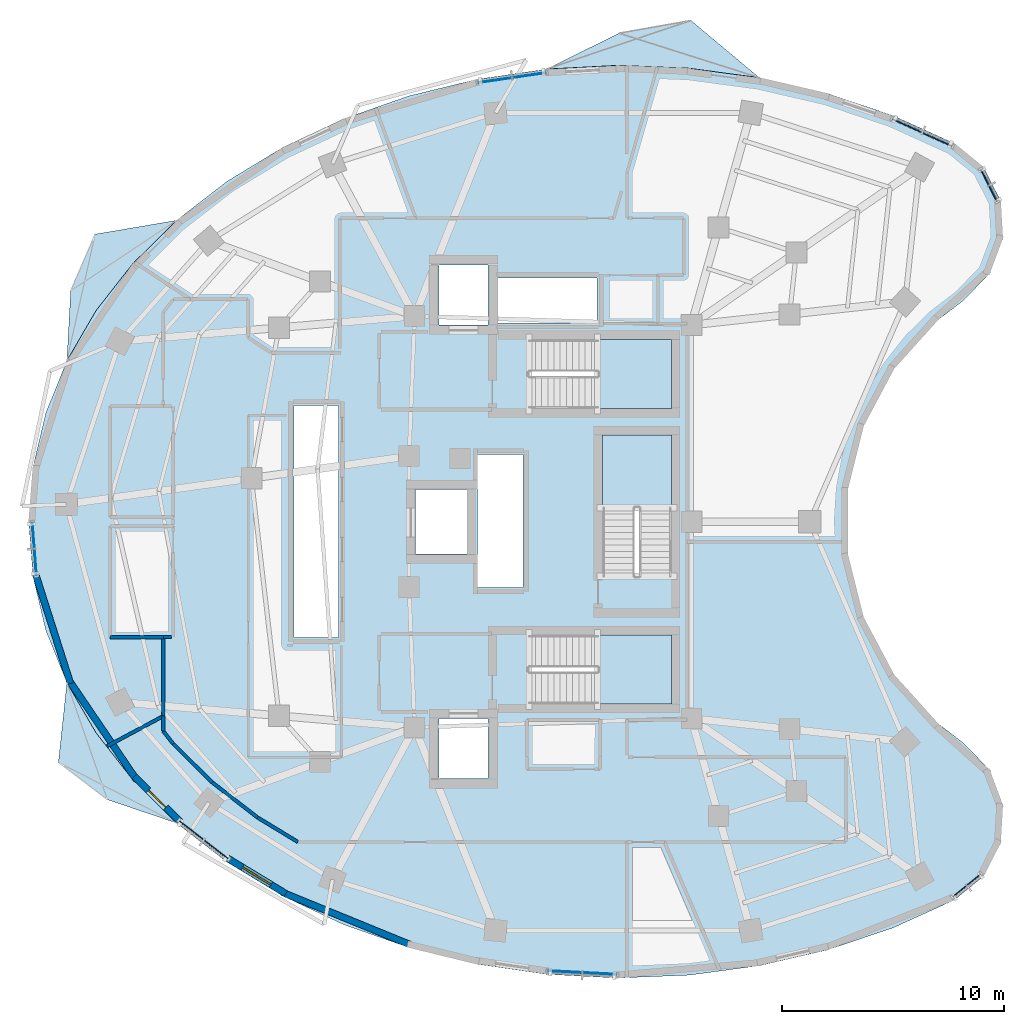
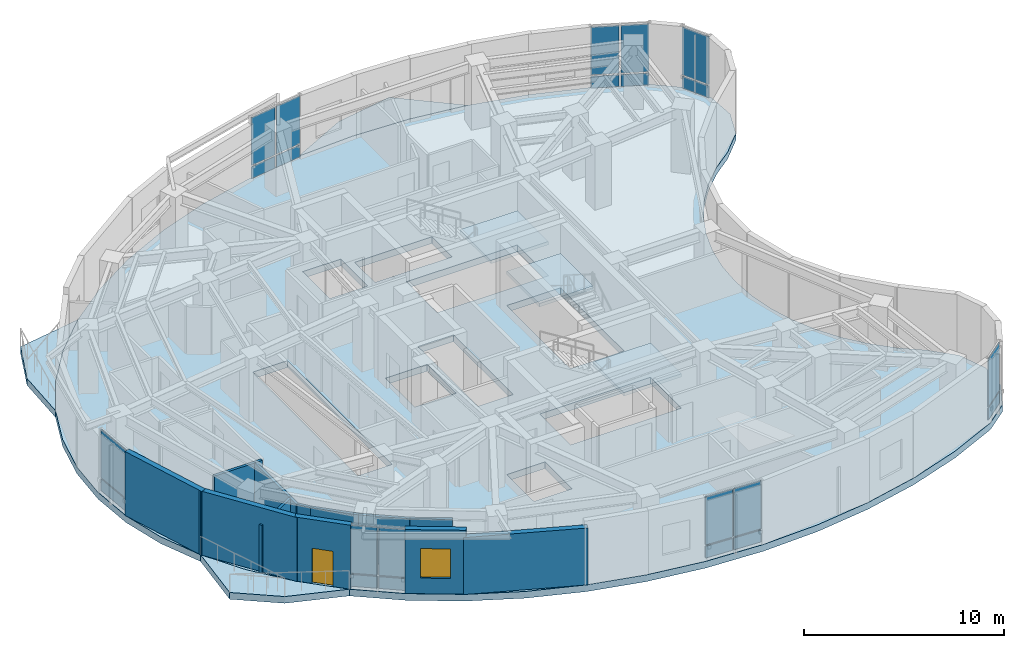
# One storey, part 6 of 13: 22 plates, 14 walls, 7 slabs, 1 door, 1 window, 2 openings, 10 elements without a shape of their own.
"""IFC4 building model written with IfcOpenShell, lengths in metres."""

from ifc_helpers import new_model, si_unit, direction, frame, frame_2d, origin, origin_2d, place, context, subcontext, project, spatial, polyline, rectangle, outline, extrude, material, layer, layer_set, type_object, element, fill, aggregate, save


model = new_model("IFC4")

# Units and contexts
model_context = context("Model", 3, precision=1e-05, world=origin(), true_north=direction((0.0, 1.0)))
body_context = subcontext(model_context, "Body", "Model", "MODEL_VIEW")
ifc_project = project(units=[si_unit("LENGTHUNIT", "METRE"), si_unit("AREAUNIT", "SQUARE_METRE"), si_unit("VOLUMEUNIT", "CUBIC_METRE"), si_unit("PLANEANGLEUNIT", "RADIAN"), si_unit("MASSUNIT", "GRAM", prefix="KILO")], contexts=[model_context])

# Site, building, storey
site_placement = place(None, origin())
site = spatial("IfcSite", under=ifc_project, at=site_placement, CompositionType="ELEMENT")
building_placement = place(site_placement, origin())
building = spatial("IfcBuilding", under=site, at=building_placement, Name="Korentha Bioscience Tower", CompositionType="ELEMENT")
storey_placement = place(building_placement, frame((0.0, 0.0, 166.800048828125)))
storey = spatial("IfcBuildingStorey", under=building, at=storey_placement, Name="L38", CompositionType="ELEMENT", Elevation=166.800048828125)

# Curtain wall, plates
ifc_material_1 = material(Name="Thermally Broken Aluminium Frame", Category="aluminium")
ifc_layer_1 = layer(ifc_material_1, 0.219970703125, Name="Thermally Broken Aluminium Frame")
ifc_layer_set_1 = layer_set([ifc_layer_1], Name="Thermally Broken Aluminium Frame (CW-T2)")
curtain_wall_type = type_object("IfcCurtainWallType", Name="Solar-Screened Lab Unitised Curtain Wall CW-T2", PredefinedType="USERDEFINED", material=ifc_layer_set_1)
curtain_wall_1_placement = place(storey_placement, origin())
curtain_wall_1 = element("IfcCurtainWall", 1, at=curtain_wall_1_placement, inside=storey, type_object=curtain_wall_type, Name="L38 Curtain Wall 01", ObjectType="UNITISED", PredefinedType="USERDEFINED")
ifc_material_2 = material(Name="Triple-Glazed Low-E Insulated Glass", Category="glass")
ifc_layer_2 = layer(ifc_material_2, 0.0439453125, Name="Triple-Glazed Low-E Insulated Glass")
ifc_layer_set_2 = layer_set([ifc_layer_2], Name="Triple-Glazed Low-E Insulated Glass (GL-44)")
plate_type = type_object("IfcPlateType", Name="Glazed Panel 44mm", PredefinedType="CURTAIN_PANEL", material=ifc_layer_set_2)
plate_1_placement = place(storey_placement, frame((48.625732421875, 44.190673828125, 0.08984375), z_axis=(0.0, 0.0, 1.0), x_axis=(-0.910644398392, 0.413190972406, 0.0)))
plate_1 = element("IfcPlate", 2, at=plate_1_placement, type_object=plate_type, Name="CW-L38-01 Bay 1 Glazed Panel 1", PredefinedType="CURTAIN_PANEL", context=body_context, shape_type="SweptSolid", body=[
    extrude(rectangle(XDim=1.422607421875, YDim=0.0439453125, at=origin_2d()), origin(), (0.0, 0.0, 1.0), 0.715087890625),
])
plate_2_placement = place(storey_placement, frame((48.625732421875, 44.190673828125, 0.89501953125), z_axis=(0.0, 0.0, 1.0), x_axis=(-0.910644398392, 0.413190972406, 0.0)))
plate_2 = element("IfcPlate", 3, at=plate_2_placement, type_object=plate_type, Name="CW-L38-01 Bay 1 Glazed Panel 2", PredefinedType="CURTAIN_PANEL", context=body_context, shape_type="SweptSolid", body=[
    extrude(rectangle(XDim=1.422607421875, YDim=0.0439453125, at=origin_2d()), origin(), (0.0, 0.0, 1.0), 2.9150390625),
])
plate_3_placement = place(storey_placement, frame((47.248291015625, 44.815673828125, 0.08984375), z_axis=(0.0, 0.0, 1.0), x_axis=(-0.910644398392, 0.413190972406, 0.0)))
plate_3 = element("IfcPlate", 4, at=plate_3_placement, type_object=plate_type, Name="CW-L38-01 Bay 2 Glazed Panel 1", PredefinedType="CURTAIN_PANEL", context=body_context, shape_type="SweptSolid", body=[
    extrude(rectangle(XDim=1.422607421875, YDim=0.0439453125, at=origin_2d()), origin(), (0.0, 0.0, 1.0), 0.715087890625),
])
plate_4_placement = place(storey_placement, frame((47.248291015625, 44.815673828125, 0.89501953125), z_axis=(0.0, 0.0, 1.0), x_axis=(-0.910644398392, 0.413190972406, 0.0)))
plate_4 = element("IfcPlate", 5, at=plate_4_placement, type_object=plate_type, Name="CW-L38-01 Bay 2 Glazed Panel 2", PredefinedType="CURTAIN_PANEL", context=body_context, shape_type="SweptSolid", body=[
    extrude(rectangle(XDim=1.422607421875, YDim=0.0439453125, at=origin_2d()), origin(), (0.0, 0.0, 1.0), 2.9150390625),
])
aggregate(curtain_wall_1, [plate_1, plate_2, plate_3, plate_4])

curtain_wall_2_placement = place(storey_placement, origin())
curtain_wall_2 = element("IfcCurtainWall", 6, at=curtain_wall_2_placement, inside=storey, type_object=curtain_wall_type, Name="L38 Curtain Wall 07", ObjectType="UNITISED", PredefinedType="USERDEFINED")
plate_5_placement = place(storey_placement, frame((30.27099609375, 47.090087890625, 0.08984375), z_axis=(0.0, 0.0, 1.0), x_axis=(-0.989461919888, -0.144793332342, 0.0)))
plate_5 = element("IfcPlate", 7, at=plate_5_placement, type_object=plate_type, Name="CW-L38-07 Bay 1 Glazed Panel 1", PredefinedType="CURTAIN_PANEL", context=body_context, shape_type="SweptSolid", body=[
    extrude(rectangle(XDim=1.498291015625, YDim=0.0439453125, at=origin_2d()), origin(), (0.0, 0.0, 1.0), 0.715087890625),
])
plate_6_placement = place(storey_placement, frame((30.27099609375, 47.090087890625, 0.89501953125), z_axis=(0.0, 0.0, 1.0), x_axis=(-0.989461919888, -0.144793332342, 0.0)))
plate_6 = element("IfcPlate", 8, at=plate_6_placement, type_object=plate_type, Name="CW-L38-07 Bay 1 Glazed Panel 2", PredefinedType="CURTAIN_PANEL", context=body_context, shape_type="SweptSolid", body=[
    extrude(rectangle(XDim=1.498291015625, YDim=0.0439453125, at=origin_2d()), origin(), (0.0, 0.0, 1.0), 2.9150390625),
])
plate_7_placement = place(storey_placement, frame((28.69921875, 46.860107421875, 0.08984375), z_axis=(0.0, 0.0, 1.0), x_axis=(-0.989461919888, -0.144793332342, 0.0)))
plate_7 = element("IfcPlate", 9, at=plate_7_placement, type_object=plate_type, Name="CW-L38-07 Bay 2 Glazed Panel 1", PredefinedType="CURTAIN_PANEL", context=body_context, shape_type="SweptSolid", body=[
    extrude(rectangle(XDim=1.498291015625, YDim=0.0439453125, at=origin_2d()), origin(), (0.0, 0.0, 1.0), 0.715087890625),
])
plate_8_placement = place(storey_placement, frame((28.69921875, 46.860107421875, 0.89501953125), z_axis=(0.0, 0.0, 1.0), x_axis=(-0.989461919888, -0.144793332342, 0.0)))
plate_8 = element("IfcPlate", 10, at=plate_8_placement, type_object=plate_type, Name="CW-L38-07 Bay 2 Glazed Panel 2", PredefinedType="CURTAIN_PANEL", context=body_context, shape_type="SweptSolid", body=[
    extrude(rectangle(XDim=1.498291015625, YDim=0.0439453125, at=origin_2d()), origin(), (0.0, 0.0, 1.0), 2.9150390625),
])
aggregate(curtain_wall_2, [plate_5, plate_6, plate_7, plate_8])

curtain_wall_3_placement = place(storey_placement, origin())
curtain_wall_3 = element("IfcCurtainWall", 11, at=curtain_wall_3_placement, inside=storey, type_object=curtain_wall_type, Name="L38 Curtain Wall 19", ObjectType="UNITISED", PredefinedType="USERDEFINED")
plate_9_placement = place(storey_placement, frame((7.991943359375, 25.781005859375, 0.08984375), z_axis=(0.0, 0.0, 1.0), x_axis=(0.078030772566, -0.996950950916, 0.0)))
plate_9 = element("IfcPlate", 12, at=plate_9_placement, type_object=plate_type, Name="CW-L38-19 Bay 1 Glazed Panel 1", PredefinedType="CURTAIN_PANEL", context=body_context, shape_type="SweptSolid", body=[
    extrude(rectangle(XDim=2.370361328125, YDim=0.0439453125, at=origin_2d()), origin(), (0.0, 0.0, 1.0), 0.715087890625),
])
plate_10_placement = place(storey_placement, frame((7.991943359375, 25.781005859375, 0.89501953125), z_axis=(0.0, 0.0, 1.0), x_axis=(0.078030772566, -0.996950950916, 0.0)))
plate_10 = element("IfcPlate", 13, at=plate_10_placement, type_object=plate_type, Name="CW-L38-19 Bay 1 Glazed Panel 2", PredefinedType="CURTAIN_PANEL", context=body_context, shape_type="SweptSolid", body=[
    extrude(rectangle(XDim=2.370361328125, YDim=0.0439453125, at=origin_2d()), origin(), (0.0, 0.0, 1.0), 2.9150390625),
])
aggregate(curtain_wall_3, [plate_9, plate_10])

curtain_wall_4_placement = place(storey_placement, origin())
curtain_wall_4 = element("IfcCurtainWall", 14, at=curtain_wall_4_placement, inside=storey, type_object=curtain_wall_type, Name="L38 Curtain Wall 25", ObjectType="UNITISED", PredefinedType="USERDEFINED")
plate_11_placement = place(storey_placement, frame((15.0556640625, 13.126953125, 0.08984375), z_axis=(0.0, 0.0, 1.0), x_axis=(0.790546796919, -0.612401634454, 0.0)))
plate_11 = element("IfcPlate", 15, at=plate_11_placement, type_object=plate_type, Name="CW-L38-25 Bay 1 Glazed Panel 1", PredefinedType="CURTAIN_PANEL", context=body_context, shape_type="SweptSolid", body=[
    extrude(rectangle(XDim=1.3349609375, YDim=0.0439453125, at=origin_2d()), origin(), (0.0, 0.0, 1.0), 0.715087890625),
])
plate_12_placement = place(storey_placement, frame((15.0556640625, 13.126953125, 0.89501953125), z_axis=(0.0, 0.0, 1.0), x_axis=(0.790546796919, -0.612401634454, 0.0)))
plate_12 = element("IfcPlate", 16, at=plate_12_placement, type_object=plate_type, Name="CW-L38-25 Bay 1 Glazed Panel 2", PredefinedType="CURTAIN_PANEL", context=body_context, shape_type="SweptSolid", body=[
    extrude(rectangle(XDim=1.3349609375, YDim=0.0439453125, at=origin_2d()), origin(), (0.0, 0.0, 1.0), 2.9150390625),
])
plate_13_placement = place(storey_placement, frame((16.18212890625, 12.25439453125, 0.08984375), z_axis=(0.0, 0.0, 1.0), x_axis=(0.790546796919, -0.612401634454, 0.0)))
plate_13 = element("IfcPlate", 17, at=plate_13_placement, type_object=plate_type, Name="CW-L38-25 Bay 2 Glazed Panel 1", PredefinedType="CURTAIN_PANEL", context=body_context, shape_type="SweptSolid", body=[
    extrude(rectangle(XDim=1.3349609375, YDim=0.0439453125, at=origin_2d()), origin(), (0.0, 0.0, 1.0), 0.715087890625),
])
plate_14_placement = place(storey_placement, frame((16.18212890625, 12.25439453125, 0.89501953125), z_axis=(0.0, 0.0, 1.0), x_axis=(0.790546796919, -0.612401634454, 0.0)))
plate_14 = element("IfcPlate", 18, at=plate_14_placement, type_object=plate_type, Name="CW-L38-25 Bay 2 Glazed Panel 2", PredefinedType="CURTAIN_PANEL", context=body_context, shape_type="SweptSolid", body=[
    extrude(rectangle(XDim=1.3349609375, YDim=0.0439453125, at=origin_2d()), origin(), (0.0, 0.0, 1.0), 2.9150390625),
])
aggregate(curtain_wall_4, [plate_11, plate_12, plate_13, plate_14])

curtain_wall_5_placement = place(storey_placement, origin())
curtain_wall_5 = element("IfcCurtainWall", 19, at=curtain_wall_5_placement, inside=storey, type_object=curtain_wall_type, Name="L38 Curtain Wall 31", ObjectType="UNITISED", PredefinedType="USERDEFINED")
plate_15_placement = place(storey_placement, frame((31.849853515625, 6.75390625, 0.08984375), z_axis=(0.0, 0.0, 1.0), x_axis=(0.998637677307, -0.052180355139, 0.0)))
plate_15 = element("IfcPlate", 20, at=plate_15_placement, type_object=plate_type, Name="CW-L38-31 Bay 1 Glazed Panel 1", PredefinedType="CURTAIN_PANEL", context=body_context, shape_type="SweptSolid", body=[
    extrude(rectangle(XDim=1.50830078125, YDim=0.0439453125, at=origin_2d()), origin(), (0.0, 0.0, 1.0), 0.715087890625),
])
plate_16_placement = place(storey_placement, frame((31.849853515625, 6.75390625, 0.89501953125), z_axis=(0.0, 0.0, 1.0), x_axis=(0.998637677307, -0.052180355139, 0.0)))
plate_16 = element("IfcPlate", 21, at=plate_16_placement, type_object=plate_type, Name="CW-L38-31 Bay 1 Glazed Panel 2", PredefinedType="CURTAIN_PANEL", context=body_context, shape_type="SweptSolid", body=[
    extrude(rectangle(XDim=1.50830078125, YDim=0.0439453125, at=origin_2d()), origin(), (0.0, 0.0, 1.0), 2.9150390625),
])
plate_17_placement = place(storey_placement, frame((33.446044921875, 6.67041015625, 0.08984375), z_axis=(0.0, 0.0, 1.0), x_axis=(0.998637677307, -0.052180355139, 0.0)))
plate_17 = element("IfcPlate", 22, at=plate_17_placement, type_object=plate_type, Name="CW-L38-31 Bay 2 Glazed Panel 1", PredefinedType="CURTAIN_PANEL", context=body_context, shape_type="SweptSolid", body=[
    extrude(rectangle(XDim=1.50830078125, YDim=0.0439453125, at=origin_2d()), origin(), (0.0, 0.0, 1.0), 0.715087890625),
])
plate_18_placement = place(storey_placement, frame((33.446044921875, 6.67041015625, 0.89501953125), z_axis=(0.0, 0.0, 1.0), x_axis=(0.998637677307, -0.052180355139, 0.0)))
plate_18 = element("IfcPlate", 23, at=plate_18_placement, type_object=plate_type, Name="CW-L38-31 Bay 2 Glazed Panel 2", PredefinedType="CURTAIN_PANEL", context=body_context, shape_type="SweptSolid", body=[
    extrude(rectangle(XDim=1.50830078125, YDim=0.0439453125, at=origin_2d()), origin(), (0.0, 0.0, 1.0), 2.9150390625),
])
aggregate(curtain_wall_5, [plate_15, plate_16, plate_17, plate_18])

curtain_wall_6_placement = place(storey_placement, origin())
curtain_wall_6 = element("IfcCurtainWall", 24, at=curtain_wall_6_placement, inside=storey, type_object=curtain_wall_type, Name="L38 Curtain Wall 37", ObjectType="UNITISED", PredefinedType="USERDEFINED")
plate_19_placement = place(storey_placement, frame((49.938720703125, 10.637451171875, 0.08984375), z_axis=(0.0, 0.0, 1.0), x_axis=(0.77425646139, 0.632871971251, 0.0)))
plate_19 = element("IfcPlate", 25, at=plate_19_placement, type_object=plate_type, Name="CW-L38-37 Bay 1 Glazed Panel 1", PredefinedType="CURTAIN_PANEL", context=body_context, shape_type="SweptSolid", body=[
    extrude(rectangle(XDim=1.591796875, YDim=0.0439453125, at=origin_2d()), origin(), (0.0, 0.0, 1.0), 0.715087890625),
])
plate_20_placement = place(storey_placement, frame((49.938720703125, 10.637451171875, 0.89501953125), z_axis=(0.0, 0.0, 1.0), x_axis=(0.77425646139, 0.632871971251, 0.0)))
plate_20 = element("IfcPlate", 26, at=plate_20_placement, type_object=plate_type, Name="CW-L38-37 Bay 1 Glazed Panel 2", PredefinedType="CURTAIN_PANEL", context=body_context, shape_type="SweptSolid", body=[
    extrude(rectangle(XDim=1.591796875, YDim=0.0439453125, at=origin_2d()), origin(), (0.0, 0.0, 1.0), 2.9150390625),
])
aggregate(curtain_wall_6, [plate_19, plate_20])

curtain_wall_7_placement = place(storey_placement, origin())
curtain_wall_7 = element("IfcCurtainWall", 27, at=curtain_wall_7_placement, inside=storey, type_object=curtain_wall_type, Name="L38 Curtain Wall 61", ObjectType="UNITISED", PredefinedType="USERDEFINED")
plate_21_placement = place(storey_placement, frame((50.936767578125, 42.124755859375, 0.08984375), z_axis=(0.0, 0.0, 1.0), x_axis=(-0.45428845847, 0.890854643868, 0.0)))
plate_21 = element("IfcPlate", 28, at=plate_21_placement, type_object=plate_type, Name="CW-L38-61 Bay 1 Glazed Panel 1", PredefinedType="CURTAIN_PANEL", context=body_context, shape_type="SweptSolid", body=[
    extrude(rectangle(XDim=1.591796875, YDim=0.0439453125, at=origin_2d()), origin(), (0.0, 0.0, 1.0), 0.715087890625),
])
plate_22_placement = place(storey_placement, frame((50.936767578125, 42.124755859375, 0.89501953125), z_axis=(0.0, 0.0, 1.0), x_axis=(-0.45428845847, 0.890854643868, 0.0)))
plate_22 = element("IfcPlate", 29, at=plate_22_placement, type_object=plate_type, Name="CW-L38-61 Bay 1 Glazed Panel 2", PredefinedType="CURTAIN_PANEL", context=body_context, shape_type="SweptSolid", body=[
    extrude(rectangle(XDim=1.591796875, YDim=0.0439453125, at=origin_2d()), origin(), (0.0, 0.0, 1.0), 2.9150390625),
])
aggregate(curtain_wall_7, [plate_21, plate_22])

# Slabs
ifc_material_3 = material(Name="Concrete C50", Category="concrete")
ifc_layer_3 = layer(ifc_material_3, 0.409912109375, Name="Concrete C50")
ifc_layer_set_3 = layer_set([ifc_layer_3], Name="Concrete C50 (BS-410)")
slab_type_1 = type_object("IfcSlabType", Name="Heavy Sawtooth Sun-Ledge Balcony Slab 410", PredefinedType="USERDEFINED", material=ifc_layer_set_3)
slab_1_placement = place(storey_placement, frame((0.0, 0.0, -0.41015625)))
element("IfcSlab", 30, at=slab_1_placement, inside=storey, type_object=slab_type_1, Name="L38 Sun-Ledge Balcony 01", ObjectType="BALCONY", PredefinedType="USERDEFINED", context=body_context, shape_type="SweptSolid", body=[
    extrude(outline(polyline([(31.038330078125, 47.364013671875), (34.24072265625, 47.531494140625), (37.446044921875, 47.40234375), (40.608154296875, 46.978515625), (37.53271484375, 49.550537109375), (34.29931640625, 48.980224609375), (31.038330078125, 47.364013671875)])), origin(), (0.0, 0.0, 1.0), 0.41015625),
])
slab_2_placement = place(storey_placement, frame((0.0, 0.0, -0.41015625)))
element("IfcSlab", 31, at=slab_2_placement, inside=storey, type_object=slab_type_1, Name="L38 Sun-Ledge Balcony 02", ObjectType="BALCONY", PredefinedType="USERDEFINED", context=body_context, shape_type="SweptSolid", body=[
    extrude(outline(polyline([(9.454833984375, 34.246337890625), (10.76611328125, 36.498291015625), (12.419189453125, 38.613037109375), (14.390380859375, 40.56005859375), (10.725341796875, 39.93701171875), (9.623779296875, 37.391357421875), (9.454833984375, 34.246337890625)])), origin(), (0.0, 0.0, 1.0), 0.41015625),
])
slab_3_placement = place(storey_placement, frame((0.0, 0.0, -0.41015625)))
element("IfcSlab", 32, at=slab_3_placement, inside=storey, type_object=slab_type_1, Name="L38 Sun-Ledge Balcony 03", ObjectType="BALCONY", PredefinedType="USERDEFINED", context=body_context, shape_type="SweptSolid", body=[
    extrude(outline(polyline([(14.390380859375, 13.43994140625), (12.419189453125, 15.386962890625), (10.76611328125, 17.501708984375), (9.454833984375, 19.753662109375), (9.072265625, 16.177490234375), (11.27685546875, 14.493896484375), (14.390380859375, 13.43994140625)])), origin(), (0.0, 0.0, 1.0), 0.41015625),
])
ifc_material_4 = material(Name="Concrete C65", Category="concrete")
ifc_layer_4 = layer(ifc_material_4, 0.409912109375, Name="Concrete C65")
ifc_layer_set_4 = layer_set([ifc_layer_4], Name="Concrete C65 (SL-L410)")
slab_type_2 = type_object("IfcSlabType", Name="Heavy Vibration-Controlled Lab Slab 410", PredefinedType="FLOOR", material=ifc_layer_set_4)
slab_4_placement = place(storey_placement, frame((0.0, 0.0, -0.41015625)))
element("IfcSlab", 33, at=slab_4_placement, inside=storey, type_object=slab_type_2, Name="L38 Tower Structural Floor Slab", PredefinedType="FLOOR", context=body_context, shape_type="SweptSolid", body=[
    extrude(outline(polyline([(49.38525390625, 44.021728515625), (46.62109375, 45.27587890625), (43.681396484375, 46.266357421875), (40.608154296875, 46.978515625), (37.446044921875, 47.40234375), (34.24072265625, 47.531494140625), (31.038330078125, 47.364013671875), (27.88525390625, 46.902587890625), (24.826904296875, 46.154052734375), (21.907470703125, 45.128662109375), (19.169189453125, 43.841552734375), (16.6513671875, 42.311279296875), (14.390380859375, 40.56005859375), (12.419189453125, 38.613037109375), (10.76611328125, 36.498291015625), (9.454833984375, 34.246337890625), (8.504638671875, 31.889892578125), (7.9287109375, 29.462646484375), (7.736083984375, 27.0), (7.9287109375, 24.537353515625), (8.504638671875, 22.110107421875), (9.454833984375, 19.753662109375), (10.76611328125, 17.501708984375), (12.419189453125, 15.386962890625), (14.390380859375, 13.43994140625), (16.6513671875, 11.688720703125), (19.169189453125, 10.158447265625), (21.907470703125, 8.871337890625), (24.826904296875, 7.845947265625), (27.88525390625, 7.097412109375), (31.038330078125, 6.635986328125), (34.24072265625, 6.468505859375), (37.446044921875, 6.59765625), (40.608154296875, 7.021484375), (43.681396484375, 7.733642578125), (46.62109375, 8.72412109375), (49.38525390625, 9.978271484375), (50.695068359375, 11.048828125), (51.46337890625, 12.55615234375), (51.560791015625, 14.2451171875), (50.970458984375, 15.83056640625), (49.792236328125, 17.044677734375), (48.629150390625, 17.937255859375), (47.583251953125, 18.96484375), (46.670654296875, 20.1123046875), (45.904541015625, 21.3623046875), (45.29638671875, 22.696533203125), (44.855712890625, 24.094970703125), (44.58837890625, 25.53662109375), (44.498779296875, 27.0), (44.58837890625, 28.46337890625), (44.855712890625, 29.905029296875), (45.29638671875, 31.303466796875), (45.904541015625, 32.6376953125), (46.670654296875, 33.8876953125), (47.583251953125, 35.03515625), (48.629150390625, 36.062744140625), (49.792236328125, 36.955322265625), (50.970458984375, 38.16943359375), (51.560791015625, 39.7548828125), (51.46337890625, 41.44384765625), (50.695068359375, 42.951171875), (49.38525390625, 44.021728515625)]), holes=[polyline([(30.25, 32.10009765625), (36.64990234375, 32.10009765625), (36.64990234375, 35.199951171875), (30.25, 35.199951171875), (30.25, 32.10009765625)]), polyline([(30.25, 18.800048828125), (36.64990234375, 18.800048828125), (36.64990234375, 21.89990234375), (30.25, 21.89990234375), (30.25, 18.800048828125)]), polyline([(36.64990234375, 24.550048828125), (36.64990234375, 30.89990234375), (33.550048828125, 30.89990234375), (33.550048828125, 24.550048828125), (36.64990234375, 24.550048828125)]), polyline([(19.679931640625, 21.780029296875), (21.669921875, 21.780029296875), (21.669921875, 32.219970703125), (19.679931640625, 32.219970703125), (19.679931640625, 21.780029296875)]), polyline([(27.929931640625, 24.030029296875), (29.969970703125, 24.030029296875), (29.969970703125, 30.02001953125), (27.929931640625, 30.02001953125), (27.929931640625, 24.030029296875)]), polyline([(28.860107421875, 35.93994140625), (33.31005859375, 35.93994140625), (33.31005859375, 37.9599609375), (28.860107421875, 37.9599609375), (28.860107421875, 35.93994140625)]), polyline([(26.199951171875, 15.449951171875), (28.39990234375, 15.449951171875), (28.39990234375, 18.14990234375), (26.199951171875, 18.14990234375), (26.199951171875, 15.449951171875)]), polyline([(26.199951171875, 35.85009765625), (28.39990234375, 35.85009765625), (28.39990234375, 38.550048828125), (26.199951171875, 38.550048828125), (26.199951171875, 35.85009765625)]), polyline([(25.14990234375, 25.550048828125), (27.550048828125, 25.550048828125), (27.550048828125, 28.449951171875), (25.14990234375, 28.449951171875), (25.14990234375, 25.550048828125)])]), origin(), (0.0, 0.0, 1.0), 0.41015625),
])

# Stair, slab
ifc_material_5 = material(Name="Precast Concrete C50", Category="concrete")
stair_type = type_object("IfcStairType", Name="Core Exit Dog-Leg Stair 1450", PredefinedType="HALF_TURN_STAIR", material=ifc_material_5)
stair_1_placement = place(storey_placement, origin())
stair_1 = element("IfcStair", 34, at=stair_1_placement, inside=storey, type_object=stair_type, Name="L38 Tower North Pressurized Exit Stair ST-1", PredefinedType="HALF_TURN_STAIR")
ifc_layer_5 = layer(ifc_material_3, 0.199951171875, Name="Concrete C50")
ifc_layer_set_5 = layer_set([ifc_layer_5], Name="Concrete C50 (SL-LND)")
slab_type_3 = type_object("IfcSlabType", Name="Landing Slab 200", PredefinedType="LANDING", material=ifc_layer_set_5)
slab_5_placement = place(storey_placement, frame((0.0, 0.0, 1.89990234375)))
slab_5 = element("IfcSlab", 35, at=slab_5_placement, type_object=slab_type_3, Name="ST-1 landing 1", PredefinedType="LANDING", context=body_context, shape_type="SweptSolid", body=[
    extrude(outline(polyline([(33.330078125, 32.10009765625), (36.64990234375, 32.10009765625), (36.64990234375, 35.199951171875), (33.330078125, 35.199951171875), (33.330078125, 32.10009765625)])), origin(), (0.0, 0.0, 1.0), 0.199951171875),
])
aggregate(stair_1, [slab_5])

stair_2_placement = place(storey_placement, origin())
stair_2 = element("IfcStair", 36, at=stair_2_placement, inside=storey, type_object=stair_type, Name="L38 Tower South Pressurized Exit Stair ST-2", PredefinedType="HALF_TURN_STAIR")
slab_6_placement = place(storey_placement, frame((0.0, 0.0, 1.89990234375)))
slab_6 = element("IfcSlab", 37, at=slab_6_placement, type_object=slab_type_3, Name="ST-2 landing 1", PredefinedType="LANDING", context=body_context, shape_type="SweptSolid", body=[
    extrude(outline(polyline([(33.330078125, 18.800048828125), (36.64990234375, 18.800048828125), (36.64990234375, 21.89990234375), (33.330078125, 21.89990234375), (33.330078125, 18.800048828125)])), origin(), (0.0, 0.0, 1.0), 0.199951171875),
])
aggregate(stair_2, [slab_6])

stair_3_placement = place(storey_placement, origin())
stair_3 = element("IfcStair", 38, at=stair_3_placement, inside=storey, type_object=stair_type, Name="L38 Tower Central Pressurized Exit Stair ST-3", PredefinedType="HALF_TURN_STAIR")
slab_7_placement = place(storey_placement, frame((0.0, 0.0, 1.89990234375)))
slab_7 = element("IfcSlab", 39, at=slab_7_placement, type_object=slab_type_3, Name="ST-3 landing 1", PredefinedType="LANDING", context=body_context, shape_type="SweptSolid", body=[
    extrude(outline(polyline([(36.64990234375, 27.6298828125), (36.64990234375, 30.89990234375), (33.550048828125, 30.89990234375), (33.550048828125, 27.6298828125), (36.64990234375, 27.6298828125)])), origin(), (0.0, 0.0, 1.0), 0.199951171875),
])
aggregate(stair_3, [slab_7])

# Walls
ifc_material_6 = material(Name="Double-Stud Acoustic Gypsum", Category="gypsum")
ifc_layer_6 = layer(ifc_material_6, 0.14990234375, Name="Double-Stud Acoustic Gypsum")
ifc_layer_set_6 = layer_set([ifc_layer_6], Name="Double-Stud Acoustic Gypsum (IW-L150)")
wall_type_1 = type_object("IfcWallType", Name="Acoustic Laboratory Partition Wall 150", PredefinedType="PARTITIONING", material=ifc_layer_set_6)
wall_1_placement = place(storey_placement, frame((14.162109375, 21.81005859375, 0.0), z_axis=(0.0, 0.0, 1.0), x_axis=(-1.0, 0.0, 0.0)))
element("IfcWall", 40, at=wall_1_placement, inside=storey, type_object=wall_type_1, Name="L38 Interior Partition 020", PredefinedType="PARTITIONING", context=body_context, shape_type="SweptSolid", body=[
    extrude(rectangle(XDim=0.362060546875, YDim=0.14990234375, at=frame_2d((0.18115234375, 0.0))), origin(), (0.0, 0.0, 1.0), 2.909912109375),
])
wall_2_placement = place(storey_placement, frame((13.7900390625, 21.800048828125, 0.0), z_axis=(0.0, 0.0, 1.0), x_axis=(-1.0, 0.0, 0.0)))
element("IfcWall", 41, at=wall_2_placement, inside=storey, type_object=wall_type_1, Name="L38 Interior Partition 021", PredefinedType="PARTITIONING", context=body_context, shape_type="SweptSolid", body=[
    extrude(rectangle(XDim=2.39013671875, YDim=0.14990234375, at=frame_2d((1.195068359375, 0.0))), origin(), (0.0, 0.0, 1.0), 2.909912109375),
])
wall_3_placement = place(storey_placement, frame((11.26611328125, 16.901123046875, 0.0), z_axis=(0.0, 0.0, 1.0), x_axis=(0.8815585549, 0.472074691423, 0.0)))
element("IfcWall", 42, at=wall_3_placement, inside=storey, type_object=wall_type_1, Name="L38 Interior Partition 032", PredefinedType="PARTITIONING", context=body_context, shape_type="SweptSolid", body=[
    extrude(rectangle(XDim=2.863037109375, YDim=0.14990234375, at=frame_2d((1.431640625, 0.0))), origin(), (0.0, 0.0, 1.0), 2.909912109375),
])
wall_4_placement = place(storey_placement, frame((13.7900390625, 18.252685546875, 0.0), z_axis=(0.0, 0.0, 1.0), x_axis=(0.0, -1.0, 0.0)))
element("IfcWall", 43, at=wall_4_placement, inside=storey, type_object=wall_type_1, Name="L38 Interior Partition 033", PredefinedType="PARTITIONING", context=body_context, shape_type="SweptSolid", body=[
    extrude(rectangle(XDim=0.670166015625, YDim=0.14990234375, at=frame_2d((0.3349609375, 0.0))), origin(), (0.0, 0.0, 1.0), 2.909912109375),
])
wall_5_placement = place(storey_placement, frame((13.7919921875, 17.576416015625, 0.0), z_axis=(0.0, 0.0, 1.0), x_axis=(0.615925776879, -0.787804187204, 0.0)))
element("IfcWall", 44, at=wall_5_placement, inside=storey, type_object=wall_type_1, Name="L38 Interior Partition 034", PredefinedType="PARTITIONING", context=body_context, shape_type="SweptSolid", body=[
    extrude(rectangle(XDim=0.722900390625, YDim=0.14990234375, at=frame_2d((0.361328125, 0.0))), origin(), (0.0, 0.0, 1.0), 2.909912109375),
])
wall_6_placement = place(storey_placement, frame((14.23828125, 17.005859375, 0.0), z_axis=(0.0, 0.0, 1.0), x_axis=(0.711447157113, -0.702739598027, 0.0)))
element("IfcWall", 45, at=wall_6_placement, inside=storey, type_object=wall_type_1, Name="L38 Interior Partition 035", PredefinedType="PARTITIONING", context=body_context, shape_type="SweptSolid", body=[
    extrude(rectangle(XDim=2.46728515625, YDim=0.14990234375, at=frame_2d((1.233642578125, 0.0))), origin(), (0.0, 0.0, 1.0), 2.909912109375),
])
wall_7_placement = place(storey_placement, frame((15.99462890625, 15.27099609375, 0.0), z_axis=(0.0, 0.0, 1.0), x_axis=(0.790550458789, -0.61239690733, 0.0)))
element("IfcWall", 46, at=wall_7_placement, inside=storey, type_object=wall_type_1, Name="L38 Interior Partition 036", PredefinedType="PARTITIONING", context=body_context, shape_type="SweptSolid", body=[
    extrude(rectangle(XDim=2.574951171875, YDim=0.14990234375, at=frame_2d((1.28759765625, 0.0))), origin(), (0.0, 0.0, 1.0), 2.909912109375),
])
wall_8_placement = place(storey_placement, frame((18.03125, 13.693603515625, 0.0), z_axis=(0.0, 0.0, 1.0), x_axis=(0.85454497186, -0.51937740716, 0.0)))
element("IfcWall", 47, at=wall_8_placement, inside=storey, type_object=wall_type_1, Name="L38 Interior Partition 037", PredefinedType="PARTITIONING", context=body_context, shape_type="SweptSolid", body=[
    extrude(rectangle(XDim=2.121826171875, YDim=0.14990234375, at=frame_2d((1.06103515625, 0.0))), origin(), (0.0, 0.0, 1.0), 2.909912109375),
])
wall_9_placement = place(storey_placement, frame((13.7900390625, 21.7900390625, 0.0), z_axis=(0.0, 0.0, 1.0), x_axis=(0.0, -1.0, 0.0)))
element("IfcWall", 48, at=wall_9_placement, inside=storey, type_object=wall_type_1, Name="L38 Interior Partition 064", PredefinedType="PARTITIONING", context=body_context, shape_type="SweptSolid", body=[
    extrude(rectangle(XDim=3.52734375, YDim=0.14990234375, at=frame_2d((1.763671875, 0.0))), origin(), (0.0, 0.0, 1.0), 2.909912109375),
])

# Wall, opening, door
ifc_material_7 = material(Name="Honed Limestone Precast Concrete C40", Category="masonry")
ifc_layer_7 = layer(ifc_material_7, 0.300048828125, Name="Honed Limestone Precast Concrete C40")
ifc_layer_set_7 = layer_set([ifc_layer_7], Name="Honed Limestone Precast Concrete C40 (EW-ST300)")
wall_type_2 = type_object("IfcWallType", Name="Honed Limestone Cavity Spandrel Wall 300", PredefinedType="STANDARD", material=ifc_layer_set_7)
wall_10_placement = place(storey_placement, frame((12.489013671875, 15.54296875, 0.0), z_axis=(0.0, 0.0, 1.0), x_axis=(0.711442799636, -0.70274400947, 0.0)))
wall_10 = element("IfcWall", 49, at=wall_10_placement, inside=storey, type_object=wall_type_2, Name="L38 Balcony Threshold Wall 03", PredefinedType="STANDARD", context=body_context, shape_type="SweptSolid", body=[
    extrude(rectangle(XDim=2.890869140625, YDim=0.300048828125, at=frame_2d((1.4453125, 0.0))), origin(), (0.0, 0.0, 1.0), 3.89990234375),
])
opening_1_placement = place(wall_10_placement, frame((0.8955078125, 0.0, 0.0)))
opening_1 = element("IfcOpeningElement", 50, at=opening_1_placement, cuts=wall_10, Name="Opening BD-11L", PredefinedType="OPENING", context=body_context, shape_type="SweptSolid", body=[
    extrude(rectangle(XDim=1.10009765625, YDim=2.14990234375, at=frame_2d((0.550048828125, 1.074951171875))), frame((0.0, 0.1650390625, 0.0), z_axis=(0.0, -1.0, 0.0), x_axis=(1.0, 0.0, 0.0)), (0.0, 0.0, 1.0), 0.329833984375),
])
ifc_material_8 = material(Name="Thermally Broken Glazed Aluminium", Category="aluminium")
door_type = type_object("IfcDoorType", Name="Balcony Terrace Glazed Door 1100x2150 Left", OperationType="SINGLE_SWING_LEFT", PredefinedType="DOOR", material=ifc_material_8)
door_placement = place(opening_1_placement, origin())
door = element("IfcDoor", 51, at=door_placement, inside=storey, type_object=door_type, Name="L38 Balcony Access Door 03", OperationType="SINGLE_SWING_LEFT", OverallHeight=2.14990234375, OverallWidth=1.10009765625, PredefinedType="DOOR", context=body_context, shape_type="SweptSolid", body=[
    extrude(rectangle(XDim=1.10009765625, YDim=2.14990234375, at=frame_2d((0.550048828125, 1.074951171875))), frame((0.0, 0.02490234375, 0.0), z_axis=(0.0, -1.0, 0.0), x_axis=(1.0, 0.0, 0.0)), (0.0, 0.0, 1.0), 0.050048828125),
])
fill(opening_1, door)

# Wall, opening, window
wall_11_placement = place(storey_placement, frame((16.68310546875, 11.8564453125, 0.0), z_axis=(0.0, 0.0, 1.0), x_axis=(0.85455658592, -0.519358297769, 0.0)))
wall_11 = element("IfcWall", 52, at=wall_11_placement, inside=storey, type_object=wall_type_2, Name="L38 Honed Limestone Spandrel Wall 26", PredefinedType="STANDARD", context=body_context, shape_type="SweptSolid", body=[
    extrude(rectangle(XDim=3.06640625, YDim=0.300048828125, at=frame_2d((1.533203125, 0.0))), origin(), (0.0, 0.0, 1.0), 3.89990234375),
])
opening_2_placement = place(wall_11_placement, frame((0.783203125, 0.0, 0.949951171875)))
opening_2 = element("IfcOpeningElement", 53, at=opening_2_placement, cuts=wall_11, Name="Opening WN-02", PredefinedType="OPENING", context=body_context, shape_type="SweptSolid", body=[
    extrude(rectangle(XDim=1.5, YDim=1.800048828125, at=frame_2d((0.75, 0.89990234375))), frame((0.0, 0.1650390625, 0.0), z_axis=(0.0, -1.0, 0.0), x_axis=(1.0, 0.0, 0.0)), (0.0, 0.0, 1.0), 0.329833984375),
])
ifc_material_9 = material(Name="Thermally Broken Aluminium Triple Glazing", Category="aluminium")
window_type = type_object("IfcWindowType", Name="Acoustic Operable Office Window 1500x1800", PartitioningType="DOUBLE_PANEL_VERTICAL", PredefinedType="WINDOW", material=ifc_material_9)
window_placement = place(opening_2_placement, origin())
window = element("IfcWindow", 54, at=window_placement, inside=storey, type_object=window_type, Name="L38 Facade Window 26", OverallHeight=1.800048828125, OverallWidth=1.5, PartitioningType="DOUBLE_PANEL_VERTICAL", PredefinedType="WINDOW", context=body_context, shape_type="SweptSolid", body=[
    extrude(rectangle(XDim=1.5, YDim=1.800048828125, at=frame_2d((0.75, 0.89990234375))), frame((0.0, 0.030029296875, 0.0), z_axis=(0.0, -1.0, 0.0), x_axis=(1.0, 0.0, 0.0)), (0.0, 0.0, 1.0), 0.06005859375),
])
fill(opening_2, window)

# Walls
wall_12_placement = place(storey_placement, frame((8.037841796875, 24.656005859375, 0.0), z_axis=(0.0, 0.0, 1.0), x_axis=(0.303930984078, -0.952694052106, 0.0)))
element("IfcWall", 55, at=wall_12_placement, inside=storey, type_object=wall_type_2, Name="L38 Limestone Perimeter Closure Wall 20", PredefinedType="STANDARD", context=body_context, shape_type="SweptSolid", body=[
    extrude(rectangle(XDim=5.18115234375, YDim=0.300048828125, at=frame_2d((2.590576171875, 0.0))), origin(), (0.0, 0.0, 1.0), 3.89990234375),
])
wall_13_placement = place(storey_placement, frame((9.52587890625, 19.8984375, 0.0), z_axis=(0.0, 0.0, 1.0), x_axis=(0.561663900064, -0.827365495634, 0.0)))
element("IfcWall", 56, at=wall_13_placement, inside=storey, type_object=wall_type_2, Name="L38 Limestone Perimeter Closure Wall 22", PredefinedType="STANDARD", context=body_context, shape_type="SweptSolid", body=[
    extrude(rectangle(XDim=5.437744140625, YDim=0.300048828125, at=frame_2d((2.71875, 0.0))), origin(), (0.0, 0.0, 1.0), 3.89990234375),
])
wall_14_placement = place(storey_placement, frame((19.14794921875, 10.318359375, 0.0), z_axis=(0.0, 0.0, 1.0), x_axis=(0.925664098805, -0.378346370648, 0.0)))
element("IfcWall", 57, at=wall_14_placement, inside=storey, type_object=wall_type_2, Name="L38 Limestone Perimeter Closure Wall 27", PredefinedType="STANDARD", context=body_context, shape_type="SweptSolid", body=[
    extrude(rectangle(XDim=6.272216796875, YDim=0.300048828125, at=frame_2d((3.13623046875, 0.0))), origin(), (0.0, 0.0, 1.0), 3.469970703125),
])

save(model, "model.ifc")
